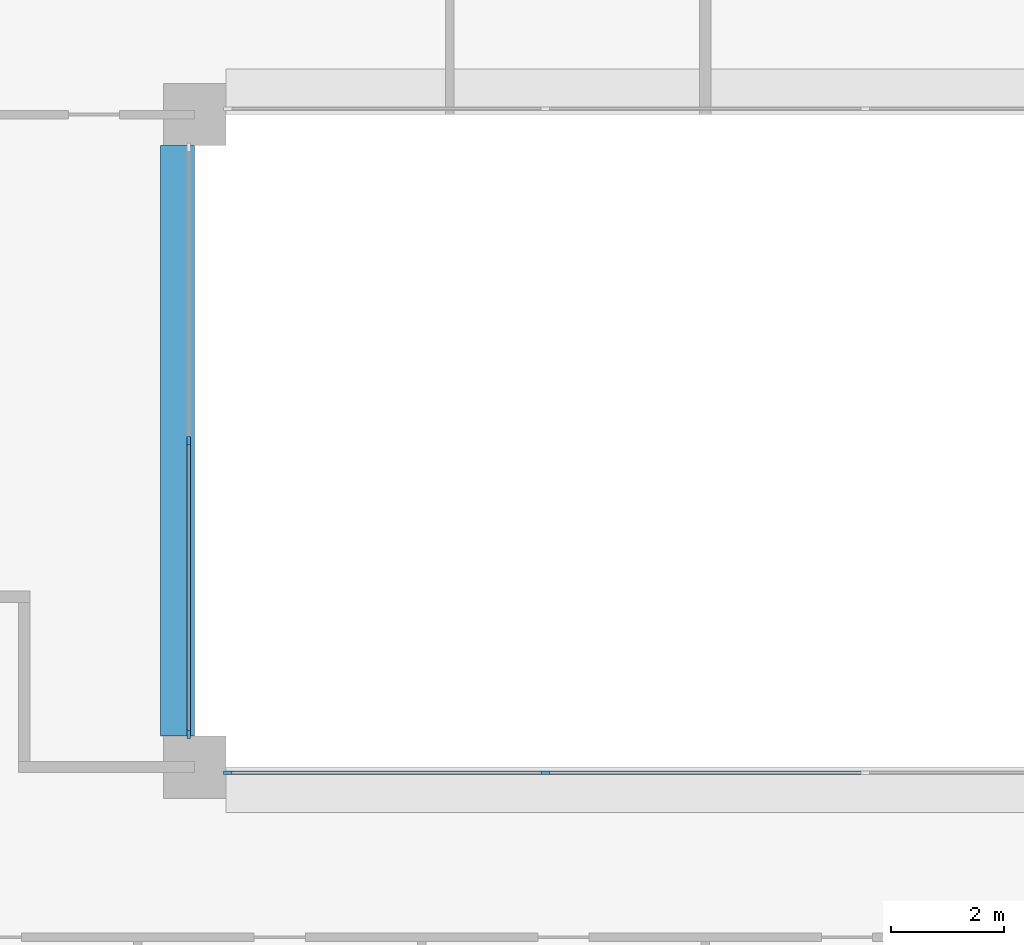
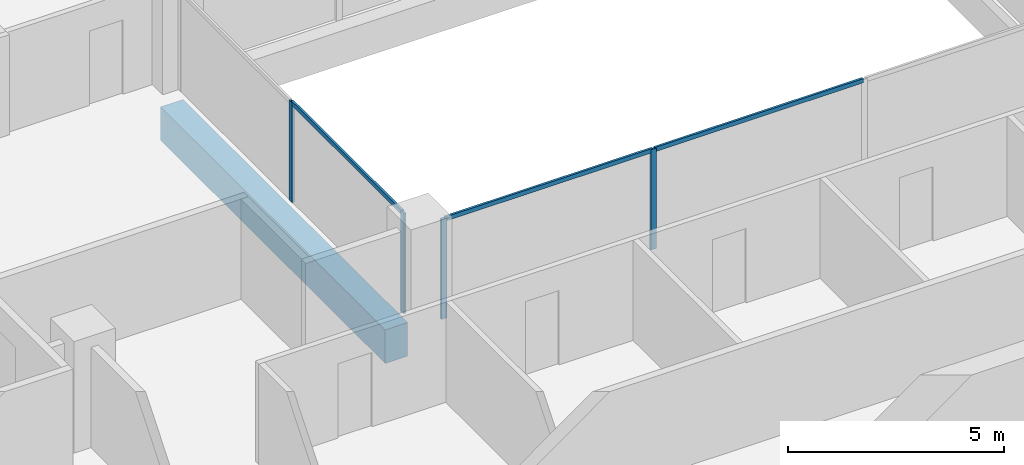
# One storey, part 2 of 16: 7 members, 1 beam, 2 elements without a shape of their own.
"""IFC4 building model written with IfcOpenShell, lengths in metres."""

from ifc_helpers import new_model, si_unit, direction, frame, origin, origin_2d, place, context, subcontext, project, spatial, rectangle, extrude, material, layer, layer_set, material_profile, profile_set, type_object, element, aggregate, save


model = new_model("IFC4")

# Units and contexts
model_context = context("Model", 3, precision=1e-05, world=origin(), true_north=direction((0.0, 1.0)))
body_context = subcontext(model_context, "Body", "Model", "MODEL_VIEW")
ifc_project = project(units=[si_unit("LENGTHUNIT", "METRE"), si_unit("AREAUNIT", "SQUARE_METRE"), si_unit("VOLUMEUNIT", "CUBIC_METRE"), si_unit("PLANEANGLEUNIT", "RADIAN"), si_unit("MASSUNIT", "GRAM", prefix="KILO")], contexts=[model_context])

# Site, building, storey
site_placement = place(None, origin())
site = spatial("IfcSite", under=ifc_project, at=site_placement, CompositionType="ELEMENT")
building_placement = place(site_placement, origin())
building = spatial("IfcBuilding", under=site, at=building_placement, Name="Brigalow Station Residences", CompositionType="ELEMENT")
storey_placement = place(building_placement, frame((0.0, 0.0, 166.5)))
storey = spatial("IfcBuildingStorey", under=building, at=storey_placement, Name="L48", CompositionType="ELEMENT", Elevation=166.5)

# Beam
ifc_material_1 = material(Name="Concrete C65", Category="concrete")
ifc_material_profile_1 = material_profile(ifc_material_1, rectangle(XDim=0.60009765625, YDim=0.949951171875, at=origin_2d()), Name="RC600x950")
ifc_profile_set_1 = profile_set([ifc_material_profile_1], Name="Concrete C65")
beam_type = type_object("IfcBeamType", Name="ATRIUM EDGE GIRDER 600x950 C65", PredefinedType="BEAM", material=ifc_profile_set_1)
beam_placement = place(storey_placement, frame((26.699951171875, 24.550048828125, -0.794921875), z_axis=(0.0, 1.0, 0.0), x_axis=(-1.0, 0.0, 0.0)))
element("IfcBeam", 1, at=beam_placement, inside=storey, type_object=beam_type, Name="ATRIUM EDGE GIRDER 3 L48", PredefinedType="BEAM", context=body_context, shape_type="SweptSolid", body=[
    extrude(rectangle(XDim=0.60009765625, YDim=0.949951171875, at=origin_2d()), origin(), (0.0, 0.0, 1.0), 10.39990234375),
])

# Curtain wall, members
ifc_material_2 = material(Name="Aluminium", Category="aluminium")
ifc_layer = layer(ifc_material_2, 0.14990234375)
ifc_layer_set = layer_set([ifc_layer], Name="ATRIUM FIRE-RATED GLAZING CURTAIN WALL")
curtain_wall_type = type_object("IfcCurtainWallType", Name="ATRIUM FIRE-RATED GLAZING CURTAIN WALL", PredefinedType="NOTDEFINED", material=ifc_layer_set)
curtain_wall_1_placement = place(storey_placement, origin())
curtain_wall_1 = element("IfcCurtainWall", 2, at=curtain_wall_1_placement, inside=storey, type_object=curtain_wall_type, Name="L48/cw/atrium-S", PredefinedType="NOTDEFINED")
ifc_material_3 = material(Name="Aluminium", Category="aluminium")
ifc_material_profile_2 = material_profile(ifc_material_3, rectangle(XDim=0.06005859375, YDim=0.14990234375, at=origin_2d()), Name="ATRIUM FIRE-RATED GLAZING MULLION 60x150")
ifc_profile_set_2 = profile_set([ifc_material_profile_2], Name="Aluminium")
member_type_1 = type_object("IfcMemberType", Name="ATRIUM FIRE-RATED GLAZING MULLION 60x150", PredefinedType="MULLION", material=ifc_profile_set_2)
member_1_placement = place(storey_placement, frame((27.580078125, 23.89990234375, 0.0), z_axis=(0.0, 0.0, 1.0), x_axis=(0.0, 1.0, 0.0)))
member_1 = element("IfcMember", 3, at=member_1_placement, type_object=member_type_1, Name="L48/cw/atrium-S/M00", PredefinedType="MULLION", context=body_context, shape_type="SweptSolid", body=[
    extrude(rectangle(XDim=0.06005859375, YDim=0.14990234375, at=origin_2d()), origin(), (0.0, 0.0, 1.0), 2.830078125),
])
member_2_placement = place(storey_placement, frame((33.183349609375, 23.89990234375, 0.0), z_axis=(0.0, 0.0, 1.0), x_axis=(0.0, 1.0, 0.0)))
member_2 = element("IfcMember", 4, at=member_2_placement, type_object=member_type_1, Name="L48/cw/atrium-S/M01", PredefinedType="MULLION", context=body_context, shape_type="SweptSolid", body=[
    extrude(rectangle(XDim=0.06005859375, YDim=0.14990234375, at=origin_2d()), origin(), (0.0, 0.0, 1.0), 2.830078125),
])

curtain_wall_2_placement = place(storey_placement, origin())
curtain_wall_2 = element("IfcCurtainWall", 5, at=curtain_wall_2_placement, inside=storey, type_object=curtain_wall_type, Name="L48/cw/atrium-W", PredefinedType="NOTDEFINED")
member_3_placement = place(storey_placement, frame((26.89990234375, 29.75, 0.0), z_axis=(0.0, 0.0, 1.0), x_axis=(1.0, 0.0, 0.0)))
member_3 = element("IfcMember", 6, at=member_3_placement, type_object=member_type_1, Name="L48/cw/atrium-W/M01", PredefinedType="MULLION", context=body_context, shape_type="SweptSolid", body=[
    extrude(rectangle(XDim=0.06005859375, YDim=0.14990234375, at=origin_2d()), origin(), (0.0, 0.0, 1.0), 2.830078125),
])
member_4_placement = place(storey_placement, frame((26.89990234375, 24.580078125, 0.0), z_axis=(0.0, 0.0, 1.0), x_axis=(1.0, 0.0, 0.0)))
member_4 = element("IfcMember", 7, at=member_4_placement, type_object=member_type_1, Name="L48/cw/atrium-W/M02", PredefinedType="MULLION", context=body_context, shape_type="SweptSolid", body=[
    extrude(rectangle(XDim=0.06005859375, YDim=0.14990234375, at=origin_2d()), origin(), (0.0, 0.0, 1.0), 2.830078125),
])

# Member
ifc_material_4 = material(Name="Aluminium", Category="aluminium")
ifc_material_profile_3 = material_profile(ifc_material_4, rectangle(XDim=0.06005859375, YDim=0.1201171875, at=origin_2d()), Name="ATRIUM FIRE-RATED GLAZING TRANSOM 60x120")
ifc_profile_set_3 = profile_set([ifc_material_profile_3], Name="Aluminium")
member_type_2 = type_object("IfcMemberType", Name="ATRIUM FIRE-RATED GLAZING TRANSOM 60x120", PredefinedType="USERDEFINED", material=ifc_profile_set_3)
member_5_placement = place(storey_placement, frame((27.610107421875, 23.89990234375, 2.800048828125), z_axis=(1.0, 0.0, 0.0), x_axis=(0.0, 1.0, 0.0)))
member_5 = element("IfcMember", 8, at=member_5_placement, type_object=member_type_2, Name="L48/cw/atrium-S/T00-00", ObjectType="TRANSOM", PredefinedType="USERDEFINED", context=body_context, shape_type="SweptSolid", body=[
    extrude(rectangle(XDim=0.06005859375, YDim=0.1201171875, at=origin_2d()), origin(), (0.0, 0.0, 1.0), 5.543212890625),
])

member_6_placement = place(storey_placement, frame((33.21337890625, 23.89990234375, 2.800048828125), z_axis=(1.0, 0.0, 0.0), x_axis=(0.0, 1.0, 0.0)))
member_6 = element("IfcMember", 9, at=member_6_placement, type_object=member_type_2, Name="L48/cw/atrium-S/T01-00", ObjectType="TRANSOM", PredefinedType="USERDEFINED", context=body_context, shape_type="SweptSolid", body=[
    extrude(rectangle(XDim=0.06005859375, YDim=0.1201171875, at=origin_2d()), origin(), (0.0, 0.0, 1.0), 5.5732421875),
])

aggregate(curtain_wall_1, [member_1, member_2, member_5, member_6])

member_7_placement = place(storey_placement, frame((26.89990234375, 29.719970703125, 2.800048828125), z_axis=(0.0, -1.0, 0.0), x_axis=(1.0, 0.0, 0.0)))
member_7 = element("IfcMember", 10, at=member_7_placement, type_object=member_type_2, Name="L48/cw/atrium-W/T01-00", ObjectType="TRANSOM", PredefinedType="USERDEFINED", context=body_context, shape_type="SweptSolid", body=[
    extrude(rectangle(XDim=0.06005859375, YDim=0.1201171875, at=origin_2d()), origin(), (0.0, 0.0, 1.0), 5.10986328125),
])

aggregate(curtain_wall_2, [member_3, member_4, member_7])

save(model, "model.ifc")
